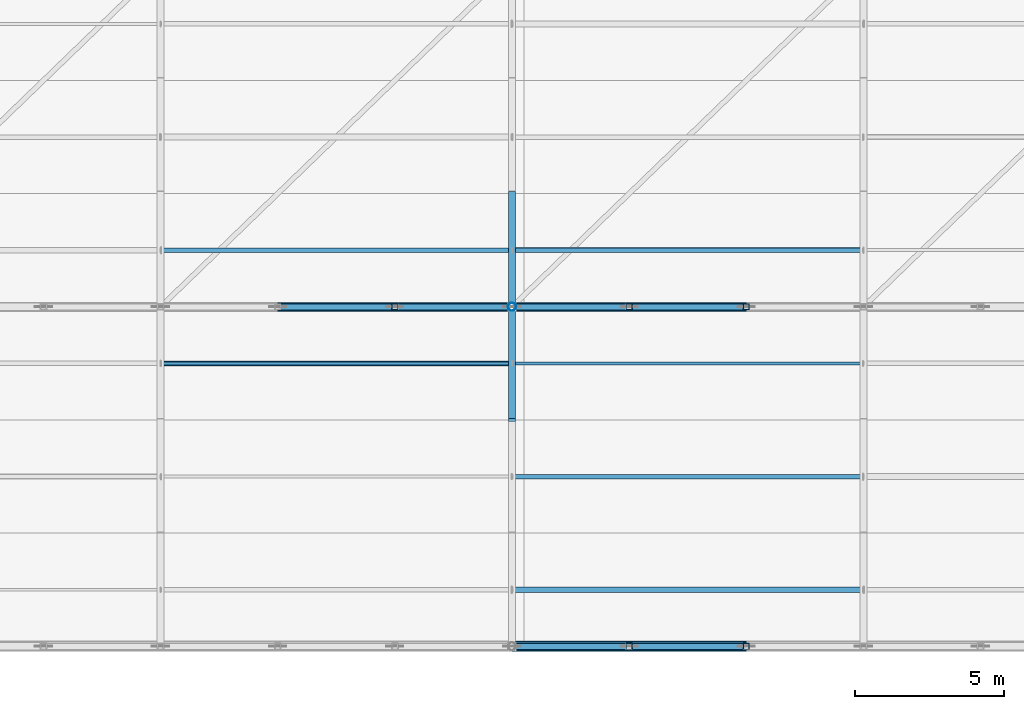
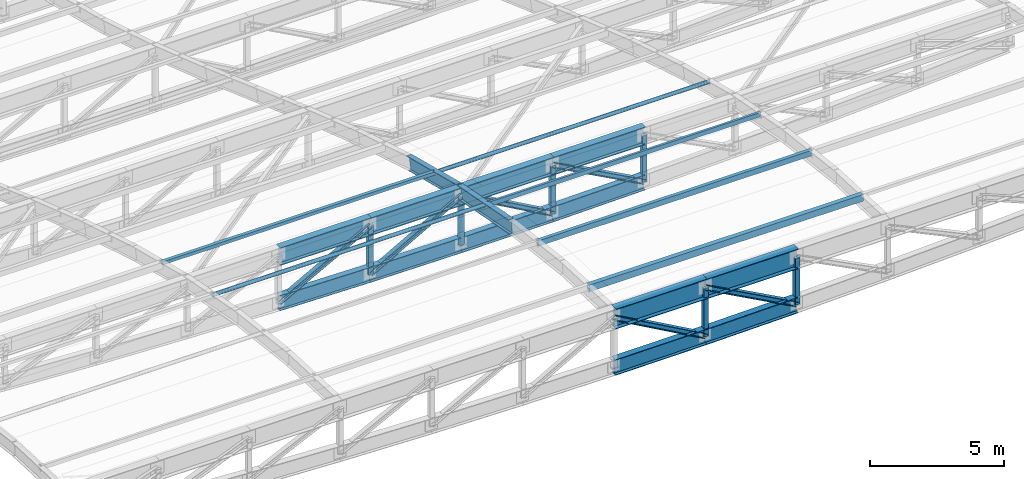
# One storey, part 8 of 65: 20 members, 12 beams.
"""IFC4 building model written with IfcOpenShell, lengths in metres."""

from ifc_helpers import new_model, si_unit, direction, frame, origin, origin_2d, place, context, subcontext, project, spatial, hollow_rectangle, hollow_circle, i_section, extrude, material, material_profile, profile_set, type_object, element, save


model = new_model("IFC4")

# Units and contexts
model_context = context("Model", 3, precision=1e-05, world=origin(), true_north=direction((0.0, 1.0)))
body_context = subcontext(model_context, "Body", "Model", "MODEL_VIEW")
ifc_project = project(units=[si_unit("LENGTHUNIT", "METRE"), si_unit("AREAUNIT", "SQUARE_METRE"), si_unit("VOLUMEUNIT", "CUBIC_METRE"), si_unit("PLANEANGLEUNIT", "RADIAN"), si_unit("MASSUNIT", "GRAM", prefix="KILO"), si_unit("POWERUNIT", "WATT"), si_unit("THERMODYNAMICTEMPERATUREUNIT", "KELVIN")], contexts=[model_context])

# Site, building, storey
site_placement = place(None, origin())
site = spatial("IfcSite", under=ifc_project, at=site_placement, CompositionType="ELEMENT")
building_placement = place(site_placement, origin())
building = spatial("IfcBuilding", under=site, at=building_placement, Name="Kelmbourne Parkland Aquatics Centre", CompositionType="ELEMENT")
storey_placement = place(building_placement, frame((0.0, 0.0, 27.0)))
storey = spatial("IfcBuildingStorey", under=building, at=storey_placement, Name="RF", CompositionType="ELEMENT", Elevation=27.0)

# Members
ifc_material_1 = material(Name="Structural steel AS/NZS 3679.1 Grade 300", Category="steel")
ifc_material_profile_1 = material_profile(ifc_material_1, i_section(OverallWidth=0.205078125, OverallDepth=0.2099609375, WebThickness=0.00927734375, FlangeThickness=0.01416015625, at=origin_2d()), Name="200UC59.5")
ifc_profile_set_1 = profile_set([ifc_material_profile_1], Name="Structural steel AS/NZS 3679.1 Grade 300")
member_type_1 = type_object("IfcMemberType", Name="MB-DIAG3", PredefinedType="STRUT", material=ifc_profile_set_1)
member_1_placement = place(storey_placement, frame((151.60009765625, 0.800048828125, -0.820068359375), z_axis=(0.872150365461, 0.0, -0.489237917608), x_axis=(0.0, 1.0, 0.0)))
element("IfcMember", 1, at=member_1_placement, inside=storey, type_object=member_type_1, Name="Roof truss R00 web diagonal 7", PredefinedType="STRUT", context=body_context, shape_type="SweptSolid", body=[
    extrude(i_section(OverallWidth=0.205078125, OverallDepth=0.2099609375, WebThickness=0.00927734375, FlangeThickness=0.01416015625, at=origin_2d()), origin(), (0.0, 0.0, 1.0), 4.509765625),
])
member_2_placement = place(storey_placement, frame((155.533203125, 0.800048828125, -0.820068359375), z_axis=(0.878842322789, 0.0, -0.477112326057), x_axis=(0.0, 1.0, 0.0)))
element("IfcMember", 2, at=member_2_placement, inside=storey, type_object=member_type_1, Name="Roof truss R00 web diagonal 8", PredefinedType="STRUT", context=body_context, shape_type="SweptSolid", body=[
    extrude(i_section(OverallWidth=0.205078125, OverallDepth=0.2099609375, WebThickness=0.00927734375, FlangeThickness=0.01416015625, at=origin_2d()), origin(), (0.0, 0.0, 1.0), 4.475830078125),
])
member_3_placement = place(storey_placement, frame((143.7333984375, 12.199951171875, -4.286376953125), z_axis=(0.878829905293, 0.0, 0.477135198411), x_axis=(0.0, 1.0, 0.0)))
element("IfcMember", 3, at=member_3_placement, inside=storey, type_object=member_type_1, Name="Roof truss R01 web diagonal 5", PredefinedType="STRUT", context=body_context, shape_type="SweptSolid", body=[
    extrude(i_section(OverallWidth=0.205078125, OverallDepth=0.2099609375, WebThickness=0.00927734375, FlangeThickness=0.01416015625, at=origin_2d()), origin(), (0.0, 0.0, 1.0), 4.4755859375),
])
for number, where, z_axis, x_axis, name in (
    (4, (147.666748046875, 12.199951171875, -4.357177734375), (0.872163322486, 0.0, 0.489214818776), (0.0, 1.0, 0.0), "Roof truss R01 web diagonal 6"),
    (5, (151.60009765625, 12.199951171875, -2.15087890625), (0.872150365461, 0.0, -0.489237917608), (0.0, 1.0, 0.0), "Roof truss R01 web diagonal 7"),
):
    element("IfcMember", number, at=place(storey_placement, frame(where, z_axis=z_axis, x_axis=x_axis)), inside=storey, type_object=member_type_1, Name=name, PredefinedType="STRUT", context=body_context, shape_type="SweptSolid", body=[
        extrude(i_section(OverallWidth=0.205078125, OverallDepth=0.2099609375, WebThickness=0.00927734375, FlangeThickness=0.01416015625, at=origin_2d()), origin(), (0.0, 0.0, 1.0), 4.509765625),
    ])
member_4_placement = place(storey_placement, frame((155.533203125, 12.199951171875, -2.15087890625), z_axis=(0.878842322789, 0.0, -0.477112326057), x_axis=(0.0, 1.0, 0.0)))
element("IfcMember", 6, at=member_4_placement, inside=storey, type_object=member_type_1, Name="Roof truss R01 web diagonal 8", PredefinedType="STRUT", context=body_context, shape_type="SweptSolid", body=[
    extrude(i_section(OverallWidth=0.205078125, OverallDepth=0.2099609375, WebThickness=0.00927734375, FlangeThickness=0.01416015625, at=origin_2d()), origin(), (0.0, 0.0, 1.0), 4.475830078125),
])
ifc_material_profile_2 = material_profile(ifc_material_1, i_section(OverallWidth=0.22900390625, OverallDepth=0.612060546875, WebThickness=0.011962890625, FlangeThickness=0.01953125, at=origin_2d()), Name="610UB125")
ifc_profile_set_2 = profile_set([ifc_material_profile_2], Name="Structural steel AS/NZS 3679.1 Grade 300")
member_type_2 = type_object("IfcMemberType", Name="MB-LRIB", PredefinedType="STRUT", material=ifc_profile_set_2)
member_5_placement = place(storey_placement, frame((151.60009765625, 8.39990234375, -1.30419921875), z_axis=(0.0, 0.982207978327, -0.187796398555), x_axis=(-1.0, 0.0, 0.0)))
element("IfcMember", 7, at=member_5_placement, inside=storey, type_object=member_type_2, Name="Longitudinal wave rib K6 strip 03", PredefinedType="STRUT", context=body_context, shape_type="SweptSolid", body=[
    extrude(i_section(OverallWidth=0.22900390625, OverallDepth=0.612060546875, WebThickness=0.011962890625, FlangeThickness=0.01953125, at=origin_2d()), origin(), (0.0, 0.0, 1.0), 3.868896484375),
])
member_6_placement = place(storey_placement, frame((151.60009765625, 12.199951171875, -2.03076171875), z_axis=(0.0, 0.96918642233, -0.246328396193), x_axis=(-1.0, 0.0, 0.0)))
element("IfcMember", 8, at=member_6_placement, inside=storey, type_object=member_type_2, Name="Longitudinal wave rib K6 strip 04", PredefinedType="STRUT", context=body_context, shape_type="SweptSolid", body=[
    extrude(i_section(OverallWidth=0.22900390625, OverallDepth=0.612060546875, WebThickness=0.011962890625, FlangeThickness=0.01953125, at=origin_2d()), origin(), (0.0, 0.0, 1.0), 3.9208984375),
])
ifc_material_2 = material(Name="Cold-formed hollow steel AS/NZS 1163 C350L0", Category="steel")
ifc_material_profile_3 = material_profile(ifc_material_2, hollow_rectangle(XDim=0.199951171875, YDim=0.199951171875, WallThickness=0.010009765625, at=origin_2d()), Name="SHS 200x200x10.0")
ifc_profile_set_3 = profile_set([ifc_material_profile_3], Name="Cold-formed hollow steel AS/NZS 1163 C350L0")
member_type_3 = type_object("IfcMemberType", Name="MB-POST1", PredefinedType="STRUT", material=ifc_profile_set_3)
member_7_placement = place(storey_placement, frame((155.533203125, 0.800048828125, -3.0263671875), z_axis=(0.0, 0.0, 1.0), x_axis=(1.0, 0.0, 0.0)))
element("IfcMember", 9, at=member_7_placement, inside=storey, type_object=member_type_3, Name="Roof truss R00 vertical post 7", PredefinedType="STRUT", context=body_context, shape_type="SweptSolid", body=[
    extrude(hollow_rectangle(XDim=0.199951171875, YDim=0.199951171875, WallThickness=0.010009765625, at=origin_2d()), origin(), (0.0, 0.0, 1.0), 2.206298828125),
])
member_8_placement = place(storey_placement, frame((159.466796875, 0.800048828125, -2.95556640625), z_axis=(0.0, 0.0, 1.0), x_axis=(1.0, 0.0, 0.0)))
element("IfcMember", 10, at=member_8_placement, inside=storey, type_object=member_type_3, Name="Roof truss R00 vertical post 8", PredefinedType="STRUT", context=body_context, shape_type="SweptSolid", body=[
    extrude(hollow_rectangle(XDim=0.199951171875, YDim=0.199951171875, WallThickness=0.010009765625, at=origin_2d()), origin(), (0.0, 0.0, 1.0), 2.135498046875),
])
for number, where, z_axis, x_axis, name in (
    (11, (147.666748046875, 12.199951171875, -4.357177734375), (0.0, 0.0, 1.0), (1.0, 0.0, 0.0), "Roof truss R01 vertical post 5"),
    (12, (155.533203125, 12.199951171875, -4.357177734375), (0.0, 0.0, 1.0), (1.0, 0.0, 0.0), "Roof truss R01 vertical post 7"),
):
    element("IfcMember", number, at=place(storey_placement, frame(where, z_axis=z_axis, x_axis=x_axis)), inside=storey, type_object=member_type_3, Name=name, PredefinedType="STRUT", context=body_context, shape_type="SweptSolid", body=[
        extrude(hollow_rectangle(XDim=0.199951171875, YDim=0.199951171875, WallThickness=0.010009765625, at=origin_2d()), origin(), (0.0, 0.0, 1.0), 2.206298828125),
    ])
member_9_placement = place(storey_placement, frame((159.466796875, 12.199951171875, -4.286376953125), z_axis=(0.0, 0.0, 1.0), x_axis=(1.0, 0.0, 0.0)))
element("IfcMember", 13, at=member_9_placement, inside=storey, type_object=member_type_3, Name="Roof truss R01 vertical post 8", PredefinedType="STRUT", context=body_context, shape_type="SweptSolid", body=[
    extrude(hollow_rectangle(XDim=0.199951171875, YDim=0.199951171875, WallThickness=0.010009765625, at=origin_2d()), origin(), (0.0, 0.0, 1.0), 2.135498046875),
])
ifc_material_profile_4 = material_profile(ifc_material_2, hollow_circle(Radius=0.136474609375, WallThickness=0.00927734375, at=origin_2d()), Name="CHS 273.1x9.3")
ifc_profile_set_4 = profile_set([ifc_material_profile_4], Name="Cold-formed hollow steel AS/NZS 1163 C350L0")
member_type_4 = type_object("IfcMemberType", Name="MB-POST2", PredefinedType="STRUT", material=ifc_profile_set_4)
member_10_placement = place(storey_placement, frame((151.60009765625, 12.199951171875, -4.380859375), z_axis=(0.0, 0.0, 1.0), x_axis=(1.0, 0.0, 0.0)))
element("IfcMember", 14, at=member_10_placement, inside=storey, type_object=member_type_4, Name="Roof truss R01 vertical post 6", PredefinedType="STRUT", context=body_context, shape_type="SweptSolid", body=[
    extrude(hollow_circle(Radius=0.136474609375, WallThickness=0.00927734375, at=origin_2d()), origin(), (0.0, 0.0, 1.0), 2.22998046875),
])
ifc_material_profile_5 = material_profile(ifc_material_2, hollow_rectangle(XDim=0.10009765625, YDim=0.199951171875, WallThickness=0.006103515625, at=origin_2d()), Name="RHS 200x100x6.0")
ifc_profile_set_5 = profile_set([ifc_material_profile_5], Name="Cold-formed hollow steel AS/NZS 1163 C350L0")
member_type_5 = type_object("IfcMemberType", Name="MB-PUR1", PredefinedType="PURLIN", material=ifc_profile_set_5)
member_11_placement = place(storey_placement, frame((151.60009765625, 10.300048828125, -1.45751953125), z_axis=(1.0, 0.0, 0.0), x_axis=(0.0, 1.0, 0.0)))
element("IfcMember", 15, at=member_11_placement, inside=storey, type_object=member_type_5, Name="Wave roof purlin S03-G3", PredefinedType="PURLIN", context=body_context, shape_type="SweptSolid", body=[
    extrude(hollow_rectangle(XDim=0.10009765625, YDim=0.199951171875, WallThickness=0.006103515625, at=origin_2d()), origin(), (0.0, 0.0, 1.0), 11.7998046875),
])
ifc_material_profile_6 = material_profile(ifc_material_2, hollow_rectangle(XDim=0.14990234375, YDim=0.25, WallThickness=0.009033203125, at=origin_2d()), Name="RHS 250x150x9.0")
ifc_profile_set_6 = profile_set([ifc_material_profile_6], Name="Cold-formed hollow steel AS/NZS 1163 C350L0")
member_type_6 = type_object("IfcMemberType", Name="MB-PUR2", PredefinedType="PURLIN", material=ifc_profile_set_6)
member_12_placement = place(storey_placement, frame((151.60009765625, 6.5, -0.8935546875), z_axis=(1.0, 0.0, 0.0), x_axis=(0.0, 1.0, 0.0)))
element("IfcMember", 16, at=member_12_placement, inside=storey, type_object=member_type_6, Name="Wave roof purlin S02-G3", PredefinedType="PURLIN", context=body_context, shape_type="SweptSolid", body=[
    extrude(hollow_rectangle(XDim=0.14990234375, YDim=0.25, WallThickness=0.009033203125, at=origin_2d()), origin(), (0.0, 0.0, 1.0), 11.7998046875),
])
ifc_material_profile_7 = material_profile(ifc_material_2, hollow_rectangle(XDim=0.199951171875, YDim=0.300048828125, WallThickness=0.010009765625, at=origin_2d()), Name="RHS 300x200x10.0")
ifc_profile_set_7 = profile_set([ifc_material_profile_7], Name="Cold-formed hollow steel AS/NZS 1163 C350L0")
member_type_7 = type_object("IfcMemberType", Name="MB-PUR3", PredefinedType="PURLIN", material=ifc_profile_set_7)
member_13_placement = place(storey_placement, frame((151.60009765625, 2.699951171875, -0.616455078125), z_axis=(1.0, 0.0, 0.0), x_axis=(0.0, 1.0, 0.0)))
element("IfcMember", 17, at=member_13_placement, inside=storey, type_object=member_type_7, Name="Wave roof purlin S01-G3", PredefinedType="PURLIN", context=body_context, shape_type="SweptSolid", body=[
    extrude(hollow_rectangle(XDim=0.199951171875, YDim=0.300048828125, WallThickness=0.010009765625, at=origin_2d()), origin(), (0.0, 0.0, 1.0), 11.7998046875),
])
ifc_material_profile_8 = material_profile(ifc_material_2, hollow_rectangle(XDim=0.14990234375, YDim=0.14990234375, WallThickness=0.009033203125, at=origin_2d()), Name="SHS 150x150x9.0")
ifc_profile_set_8 = profile_set([ifc_material_profile_8], Name="Cold-formed hollow steel AS/NZS 1163 C350L0")
member_type_8 = type_object("IfcMemberType", Name="MB-PUR4", PredefinedType="PURLIN", material=ifc_profile_set_8)
member_14_placement = place(storey_placement, frame((139.800048828125, 14.10009765625, -2.27880859375), z_axis=(1.0, 0.0, 0.0), x_axis=(0.0, 1.0, 0.0)))
element("IfcMember", 18, at=member_14_placement, inside=storey, type_object=member_type_8, Name="Wave roof purlin S04-G2", PredefinedType="PURLIN", context=body_context, shape_type="SweptSolid", body=[
    extrude(hollow_rectangle(XDim=0.14990234375, YDim=0.14990234375, WallThickness=0.009033203125, at=origin_2d()), origin(), (0.0, 0.0, 1.0), 11.800048828125),
])
ifc_material_profile_9 = material_profile(ifc_material_2, hollow_circle(Radius=0.084228515625, WallThickness=0.007080078125, at=origin_2d()), Name="CHS 168.3x7.1")
ifc_profile_set_9 = profile_set([ifc_material_profile_9], Name="Cold-formed hollow steel AS/NZS 1163 C350L0")
member_type_9 = type_object("IfcMemberType", Name="MB-PUR5", PredefinedType="PURLIN", material=ifc_profile_set_9)
member_15_placement = place(storey_placement, frame((139.800048828125, 10.300048828125, -1.441650390625), z_axis=(1.0, 0.0, 0.0), x_axis=(0.0, 1.0, 0.0)))
element("IfcMember", 19, at=member_15_placement, inside=storey, type_object=member_type_9, Name="Wave roof purlin S03-G2", PredefinedType="PURLIN", context=body_context, shape_type="SweptSolid", body=[
    extrude(hollow_circle(Radius=0.084228515625, WallThickness=0.007080078125, at=origin_2d()), origin(), (0.0, 0.0, 1.0), 11.800048828125),
])
member_16_placement = place(storey_placement, frame((151.60009765625, 14.10009765625, -2.287841796875), z_axis=(1.0, 0.0, 0.0), x_axis=(0.0, 1.0, 0.0)))
element("IfcMember", 20, at=member_16_placement, inside=storey, type_object=member_type_9, Name="Wave roof purlin S04-G3", PredefinedType="PURLIN", context=body_context, shape_type="SweptSolid", body=[
    extrude(hollow_circle(Radius=0.084228515625, WallThickness=0.007080078125, at=origin_2d()), origin(), (0.0, 0.0, 1.0), 11.7998046875),
])

# Beams
ifc_material_3 = material(Name="Welded plate steel AS/NZS 3678 Grade 350", Category="steel")
ifc_material_profile_10 = material_profile(ifc_material_3, i_section(OverallWidth=0.27490234375, OverallDepth=0.716064453125, WebThickness=0.011962890625, FlangeThickness=0.02490234375, at=origin_2d()), Name="700WB173")
ifc_profile_set_10 = profile_set([ifc_material_profile_10], Name="Welded plate steel AS/NZS 3678 Grade 350")
beam_type_1 = type_object("IfcBeamType", Name="TR-BC1", PredefinedType="BEAM", material=ifc_profile_set_10)
beam_1_placement = place(storey_placement, frame((151.60009765625, 0.800048828125, -3.050048828125), z_axis=(0.999981873641, 0.0, 0.006020995763), x_axis=(0.0, 1.0, 0.0)))
element("IfcBeam", 21, at=beam_1_placement, inside=storey, type_object=beam_type_1, Name="Roof truss R00 bottom chord 7", PredefinedType="BEAM", context=body_context, shape_type="SweptSolid", body=[
    extrude(i_section(OverallWidth=0.27490234375, OverallDepth=0.716064453125, WebThickness=0.011962890625, FlangeThickness=0.02490234375, at=origin_2d()), origin(), (0.0, 0.0, 1.0), 3.93310546875),
])
beam_2_placement = place(storey_placement, frame((155.533203125, 0.800048828125, -3.0263671875), z_axis=(0.999838057221, 0.0, 0.017996092142), x_axis=(0.0, 1.0, 0.0)))
element("IfcBeam", 22, at=beam_2_placement, inside=storey, type_object=beam_type_1, Name="Roof truss R00 bottom chord 8", PredefinedType="BEAM", context=body_context, shape_type="SweptSolid", body=[
    extrude(i_section(OverallWidth=0.27490234375, OverallDepth=0.716064453125, WebThickness=0.011962890625, FlangeThickness=0.02490234375, at=origin_2d()), origin(), (0.0, 0.0, 1.0), 3.934326171875),
])
ifc_material_profile_11 = material_profile(ifc_material_3, i_section(OverallWidth=0.25, OverallDepth=0.699951171875, WebThickness=0.010009765625, FlangeThickness=0.02001953125, at=origin_2d()), Name="700WB130")
ifc_profile_set_11 = profile_set([ifc_material_profile_11], Name="Welded plate steel AS/NZS 3678 Grade 350")
beam_type_2 = type_object("IfcBeamType", Name="TR-BC2", PredefinedType="BEAM", material=ifc_profile_set_11)
beam_3_placement = place(storey_placement, frame((143.7333984375, 12.199951171875, -4.286376953125), z_axis=(0.999838037122, 0.0, -0.017997208787), x_axis=(0.0, 1.0, 0.0)))
element("IfcBeam", 23, at=beam_3_placement, inside=storey, type_object=beam_type_2, Name="Roof truss R01 bottom chord 5", PredefinedType="BEAM", context=body_context, shape_type="SweptSolid", body=[
    extrude(i_section(OverallWidth=0.25, OverallDepth=0.699951171875, WebThickness=0.010009765625, FlangeThickness=0.02001953125, at=origin_2d()), origin(), (0.0, 0.0, 1.0), 3.93408203125),
])
beam_4_placement = place(storey_placement, frame((147.666748046875, 12.199951171875, -4.357177734375), z_axis=(0.999981875891, 0.0, -0.006020622057), x_axis=(0.0, 1.0, 0.0)))
element("IfcBeam", 24, at=beam_4_placement, inside=storey, type_object=beam_type_2, Name="Roof truss R01 bottom chord 6", PredefinedType="BEAM", context=body_context, shape_type="SweptSolid", body=[
    extrude(i_section(OverallWidth=0.25, OverallDepth=0.699951171875, WebThickness=0.010009765625, FlangeThickness=0.02001953125, at=origin_2d()), origin(), (0.0, 0.0, 1.0), 3.933349609375),
])
beam_5_placement = place(storey_placement, frame((151.60009765625, 12.199951171875, -4.380859375), z_axis=(0.999981873641, 0.0, 0.006020995763), x_axis=(0.0, 1.0, 0.0)))
element("IfcBeam", 25, at=beam_5_placement, inside=storey, type_object=beam_type_2, Name="Roof truss R01 bottom chord 7", PredefinedType="BEAM", context=body_context, shape_type="SweptSolid", body=[
    extrude(i_section(OverallWidth=0.25, OverallDepth=0.699951171875, WebThickness=0.010009765625, FlangeThickness=0.02001953125, at=origin_2d()), origin(), (0.0, 0.0, 1.0), 3.93310546875),
])
beam_6_placement = place(storey_placement, frame((155.533203125, 12.199951171875, -4.357177734375), z_axis=(0.999838057221, 0.0, 0.017996092142), x_axis=(0.0, 1.0, 0.0)))
element("IfcBeam", 26, at=beam_6_placement, inside=storey, type_object=beam_type_2, Name="Roof truss R01 bottom chord 8", PredefinedType="BEAM", context=body_context, shape_type="SweptSolid", body=[
    extrude(i_section(OverallWidth=0.25, OverallDepth=0.699951171875, WebThickness=0.010009765625, FlangeThickness=0.02001953125, at=origin_2d()), origin(), (0.0, 0.0, 1.0), 3.934326171875),
])
ifc_material_profile_12 = material_profile(ifc_material_3, i_section(OverallWidth=0.35009765625, OverallDepth=0.909912109375, WebThickness=0.011962890625, FlangeThickness=0.02490234375, at=origin_2d()), Name="900WB218")
ifc_profile_set_12 = profile_set([ifc_material_profile_12], Name="Welded plate steel AS/NZS 3678 Grade 350")
beam_type_3 = type_object("IfcBeamType", Name="TR-TC1", PredefinedType="BEAM", material=ifc_profile_set_12)
beam_7_placement = place(storey_placement, frame((151.60009765625, 0.800048828125, -0.820068359375), z_axis=(1.0, 0.0, 0.0), x_axis=(0.0, 1.0, 0.0)))
element("IfcBeam", 27, at=beam_7_placement, inside=storey, type_object=beam_type_3, Name="Roof truss R00 top chord 7", PredefinedType="BEAM", context=body_context, shape_type="SweptSolid", body=[
    extrude(i_section(OverallWidth=0.35009765625, OverallDepth=0.909912109375, WebThickness=0.011962890625, FlangeThickness=0.02490234375, at=origin_2d()), origin(), (0.0, 0.0, 1.0), 3.93310546875),
])
beam_8_placement = place(storey_placement, frame((155.533203125, 0.800048828125, -0.820068359375), z_axis=(1.0, 0.0, 0.0), x_axis=(0.0, 1.0, 0.0)))
element("IfcBeam", 28, at=beam_8_placement, inside=storey, type_object=beam_type_3, Name="Roof truss R00 top chord 8", PredefinedType="BEAM", context=body_context, shape_type="SweptSolid", body=[
    extrude(i_section(OverallWidth=0.35009765625, OverallDepth=0.909912109375, WebThickness=0.011962890625, FlangeThickness=0.02490234375, at=origin_2d()), origin(), (0.0, 0.0, 1.0), 3.93359375),
])
ifc_material_profile_13 = material_profile(ifc_material_3, i_section(OverallWidth=0.300048828125, OverallDepth=0.81591796875, WebThickness=0.011962890625, FlangeThickness=0.028076171875, at=origin_2d()), Name="800WB192")
ifc_profile_set_13 = profile_set([ifc_material_profile_13], Name="Welded plate steel AS/NZS 3678 Grade 350")
beam_type_4 = type_object("IfcBeamType", Name="TR-TC2", PredefinedType="BEAM", material=ifc_profile_set_13)
for number, where, z_axis, x_axis, name in (
    (29, (143.7333984375, 12.199951171875, -2.15087890625), (1.0, 0.0, 0.0), (0.0, 1.0, 0.0), "Roof truss R01 top chord 5"),
    (30, (147.666748046875, 12.199951171875, -2.15087890625), (1.0, 0.0, 0.0), (0.0, 1.0, 0.0), "Roof truss R01 top chord 6"),
):
    element("IfcBeam", number, at=place(storey_placement, frame(where, z_axis=z_axis, x_axis=x_axis)), inside=storey, type_object=beam_type_4, Name=name, PredefinedType="BEAM", context=body_context, shape_type="SweptSolid", body=[
        extrude(i_section(OverallWidth=0.300048828125, OverallDepth=0.81591796875, WebThickness=0.011962890625, FlangeThickness=0.028076171875, at=origin_2d()), origin(), (0.0, 0.0, 1.0), 3.933349609375),
    ])
beam_9_placement = place(storey_placement, frame((151.60009765625, 12.199951171875, -2.15087890625), z_axis=(1.0, 0.0, 0.0), x_axis=(0.0, 1.0, 0.0)))
element("IfcBeam", 31, at=beam_9_placement, inside=storey, type_object=beam_type_4, Name="Roof truss R01 top chord 7", PredefinedType="BEAM", context=body_context, shape_type="SweptSolid", body=[
    extrude(i_section(OverallWidth=0.300048828125, OverallDepth=0.81591796875, WebThickness=0.011962890625, FlangeThickness=0.028076171875, at=origin_2d()), origin(), (0.0, 0.0, 1.0), 3.93310546875),
])
beam_10_placement = place(storey_placement, frame((155.533203125, 12.199951171875, -2.15087890625), z_axis=(1.0, 0.0, 0.0), x_axis=(0.0, 1.0, 0.0)))
element("IfcBeam", 32, at=beam_10_placement, inside=storey, type_object=beam_type_4, Name="Roof truss R01 top chord 8", PredefinedType="BEAM", context=body_context, shape_type="SweptSolid", body=[
    extrude(i_section(OverallWidth=0.300048828125, OverallDepth=0.81591796875, WebThickness=0.011962890625, FlangeThickness=0.028076171875, at=origin_2d()), origin(), (0.0, 0.0, 1.0), 3.93359375),
])

save(model, "model.ifc")
